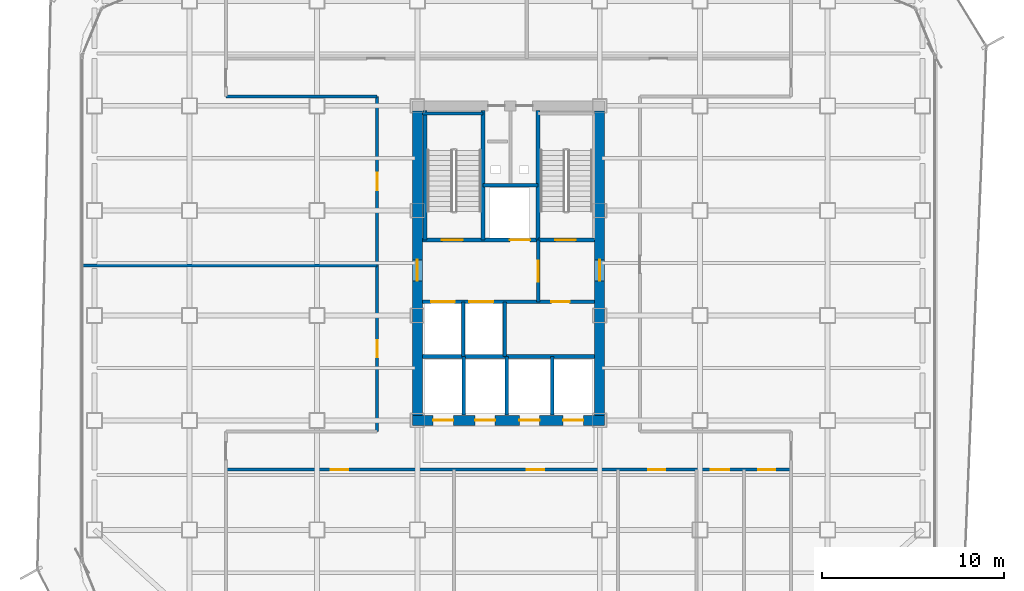
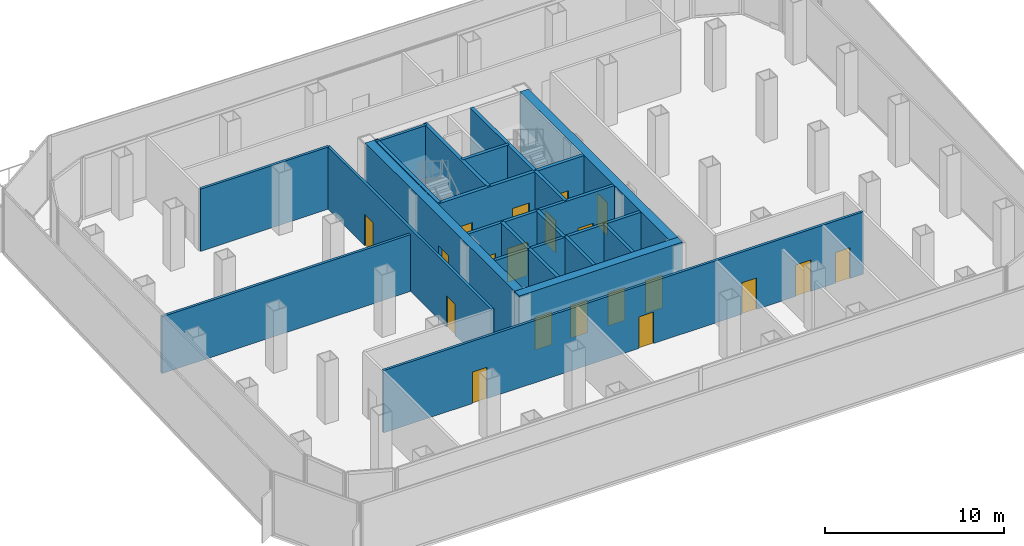
# One storey, part 17 of 21: 22 walls, 20 doors, 20 openings.
"""IFC4 building model written with IfcOpenShell, lengths in metres."""

from ifc_helpers import new_model, si_unit, direction, frame, frame_2d, origin, place, context, subcontext, project, spatial, rectangle, extrude, material, layer, layer_set, type_object, element, fill, save


model = new_model("IFC4")

# Units and contexts
model_context = context("Model", 3, precision=1e-05, world=origin(), true_north=direction((0.0, 1.0)))
body_context = subcontext(model_context, "Body", "Model", "MODEL_VIEW")
ifc_project = project(units=[si_unit("LENGTHUNIT", "METRE"), si_unit("AREAUNIT", "SQUARE_METRE"), si_unit("VOLUMEUNIT", "CUBIC_METRE"), si_unit("PLANEANGLEUNIT", "RADIAN"), si_unit("MASSUNIT", "GRAM", prefix="KILO")], contexts=[model_context])

# Site, building, storey
site_placement = place(None, origin())
site = spatial("IfcSite", under=ifc_project, at=site_placement, CompositionType="ELEMENT")
building_placement = place(site_placement, origin())
building = spatial("IfcBuilding", under=site, at=building_placement, Name="Kolveth Station Tower", CompositionType="ELEMENT")
storey_placement = place(building_placement, frame((0.0, 0.0, 88.199951171875)))
storey = spatial("IfcBuildingStorey", under=building, at=storey_placement, Name="L23", CompositionType="ELEMENT", Elevation=88.199951171875)

# Wall, openings, doors
ifc_material_1 = material(Name="Concrete C60/75", Category="concrete")
ifc_layer_1 = layer(ifc_material_1, 0.550048828125)
ifc_layer_set_1 = layer_set([ifc_layer_1], Name="Concrete C60/75")
wall_type_1 = type_object("IfcWallType", Name="Wall_CW-550", PredefinedType="SHEAR", material=ifc_layer_set_1)
wall_1_placement = place(storey_placement, frame((18.22509765625, 11.5, 0.0), z_axis=(0.0, 0.0, 1.0), x_axis=(1.0, 0.0, 0.0)))
wall_1 = element("IfcWall", 1, at=wall_1_placement, inside=storey, type_object=wall_type_1, Name="L23 Core RC Shear Wall S", PredefinedType="SHEAR", context=body_context, shape_type="SweptSolid", body=[
    extrude(rectangle(XDim=10.5498046875, YDim=0.550048828125, at=frame_2d((5.27490234375, 0.0))), origin(), (0.0, 0.0, 1.0), 4.25),
])
opening_1_placement = place(wall_1_placement, frame((1.14501953125, 0.0, 0.0)))
opening_1 = element("IfcOpeningElement", 2, at=opening_1_placement, cuts=wall_1, Name="Opening LD1", PredefinedType="OPENING", context=body_context, shape_type="SweptSolid", body=[
    extrude(rectangle(XDim=1.10009765625, YDim=2.25, at=frame_2d((0.550048828125, 1.125))), frame((0.0, 0.284912109375, 0.0), z_axis=(0.0, -1.0, 0.0), x_axis=(1.0, 0.0, 0.0)), (0.0, 0.0, 1.0), 0.570068359375),
])
opening_2_placement = place(wall_1_placement, frame((3.445068359375, 0.0, 0.0)))
opening_2 = element("IfcOpeningElement", 3, at=opening_2_placement, cuts=wall_1, Name="Opening LD1", PredefinedType="OPENING", context=body_context, shape_type="SweptSolid", body=[
    extrude(rectangle(XDim=1.10009765625, YDim=2.25, at=frame_2d((0.550048828125, 1.125))), frame((0.0, 0.284912109375, 0.0), z_axis=(0.0, -1.0, 0.0), x_axis=(1.0, 0.0, 0.0)), (0.0, 0.0, 1.0), 0.570068359375),
])
opening_3_placement = place(wall_1_placement, frame((5.875, 0.0, 0.0)))
opening_3 = element("IfcOpeningElement", 4, at=opening_3_placement, cuts=wall_1, Name="Opening LD1", PredefinedType="OPENING", context=body_context, shape_type="SweptSolid", body=[
    extrude(rectangle(XDim=1.10009765625, YDim=2.25, at=frame_2d((0.550048828125, 1.125))), frame((0.0, 0.284912109375, 0.0), z_axis=(0.0, -1.0, 0.0), x_axis=(1.0, 0.0, 0.0)), (0.0, 0.0, 1.0), 0.570068359375),
])
opening_4_placement = place(wall_1_placement, frame((8.27490234375, 0.0, 0.0)))
opening_4 = element("IfcOpeningElement", 5, at=opening_4_placement, cuts=wall_1, Name="Opening LD1", PredefinedType="OPENING", context=body_context, shape_type="SweptSolid", body=[
    extrude(rectangle(XDim=1.10009765625, YDim=2.25, at=frame_2d((0.550048828125, 1.125))), frame((0.0, 0.284912109375, 0.0), z_axis=(0.0, -1.0, 0.0), x_axis=(1.0, 0.0, 0.0)), (0.0, 0.0, 1.0), 0.570068359375),
])
ifc_material_2 = material(Name="Brushed stainless steel sliding landing doors", Category="steel")
door_type_1 = type_object("IfcDoorType", Name="Door_LD1", OperationType="NOTDEFINED", PredefinedType="DOOR", material=ifc_material_2)
door_1_placement = place(opening_1_placement, frame((1.10009765625, 0.0, 0.0), z_axis=(0.0, 0.0, 1.0), x_axis=(-1.0, 0.0, 0.0)))
door_1 = element("IfcDoor", 6, at=door_1_placement, inside=storey, type_object=door_type_1, Name="L23 Lift PL1 Landing Door", OperationType="DOUBLE_DOOR_SLIDING", OverallHeight=2.25, OverallWidth=1.10009765625, PredefinedType="DOOR", context=body_context, shape_type="SweptSolid", body=[
    extrude(rectangle(XDim=1.10009765625, YDim=2.25, at=frame_2d((0.550048828125, 1.125))), frame((0.0, 0.02490234375, 0.0), z_axis=(0.0, -1.0, 0.0), x_axis=(1.0, 0.0, 0.0)), (0.0, 0.0, 1.0), 0.050048828125),
])
fill(opening_1, door_1)
door_2_placement = place(opening_2_placement, frame((1.10009765625, 0.0, 0.0), z_axis=(0.0, 0.0, 1.0), x_axis=(-1.0, 0.0, 0.0)))
door_2 = element("IfcDoor", 7, at=door_2_placement, inside=storey, type_object=door_type_1, Name="L23 Lift PL2 Landing Door", OperationType="DOUBLE_DOOR_SLIDING", OverallHeight=2.25, OverallWidth=1.10009765625, PredefinedType="DOOR", context=body_context, shape_type="SweptSolid", body=[
    extrude(rectangle(XDim=1.10009765625, YDim=2.25, at=frame_2d((0.550048828125, 1.125))), frame((0.0, 0.02490234375, 0.0), z_axis=(0.0, -1.0, 0.0), x_axis=(1.0, 0.0, 0.0)), (0.0, 0.0, 1.0), 0.050048828125),
])
fill(opening_2, door_2)
door_3_placement = place(opening_3_placement, frame((1.10009765625, 0.0, 0.0), z_axis=(0.0, 0.0, 1.0), x_axis=(-1.0, 0.0, 0.0)))
door_3 = element("IfcDoor", 8, at=door_3_placement, inside=storey, type_object=door_type_1, Name="L23 Lift PM1 Landing Door", OperationType="DOUBLE_DOOR_SLIDING", OverallHeight=2.25, OverallWidth=1.10009765625, PredefinedType="DOOR", context=body_context, shape_type="SweptSolid", body=[
    extrude(rectangle(XDim=1.10009765625, YDim=2.25, at=frame_2d((0.550048828125, 1.125))), frame((0.0, 0.02490234375, 0.0), z_axis=(0.0, -1.0, 0.0), x_axis=(1.0, 0.0, 0.0)), (0.0, 0.0, 1.0), 0.050048828125),
])
fill(opening_3, door_3)
door_4_placement = place(opening_4_placement, frame((1.10009765625, 0.0, 0.0), z_axis=(0.0, 0.0, 1.0), x_axis=(-1.0, 0.0, 0.0)))
door_4 = element("IfcDoor", 9, at=door_4_placement, inside=storey, type_object=door_type_1, Name="L23 Lift PH1 Landing Door", OperationType="DOUBLE_DOOR_SLIDING", OverallHeight=2.25, OverallWidth=1.10009765625, PredefinedType="DOOR", context=body_context, shape_type="SweptSolid", body=[
    extrude(rectangle(XDim=1.10009765625, YDim=2.25, at=frame_2d((0.550048828125, 1.125))), frame((0.0, 0.02490234375, 0.0), z_axis=(0.0, -1.0, 0.0), x_axis=(1.0, 0.0, 0.0)), (0.0, 0.0, 1.0), 0.050048828125),
])
fill(opening_4, door_4)

# Wall, opening, door
wall_2_placement = place(storey_placement, frame((18.5, 11.77490234375, 0.0), z_axis=(0.0, 0.0, 1.0), x_axis=(0.0, 1.0, 0.0)))
wall_2 = element("IfcWall", 10, at=wall_2_placement, inside=storey, type_object=wall_type_1, Name="L23 Core RC Shear Wall W", PredefinedType="SHEAR", context=body_context, shape_type="SweptSolid", body=[
    extrude(rectangle(XDim=16.7001953125, YDim=0.550048828125, at=frame_2d((8.35009765625, 0.0))), origin(), (0.0, 0.0, 1.0), 4.25),
])
opening_5_placement = place(wall_2_placement, frame((7.375, 0.0, 0.0)))
opening_5 = element("IfcOpeningElement", 11, at=opening_5_placement, cuts=wall_2, Name="Opening FD1", PredefinedType="OPENING", context=body_context, shape_type="SweptSolid", body=[
    extrude(rectangle(XDim=1.14990234375, YDim=2.199951171875, at=frame_2d((0.574951171875, 1.10009765625))), frame((0.0, 0.284912109375, 0.0), z_axis=(0.0, -1.0, 0.0), x_axis=(1.0, 0.0, 0.0)), (0.0, 0.0, 1.0), 0.570068359375),
])
ifc_material_3 = material(Name="Fire-rated Steel S355 leaf and frame", Category="steel")
door_type_2 = type_object("IfcDoorType", Name="Door_FD1", OperationType="NOTDEFINED", PredefinedType="DOOR", material=ifc_material_3)
door_5_placement = place(opening_5_placement, frame((1.14990234375, 0.0, 0.0), z_axis=(0.0, 0.0, 1.0), x_axis=(-1.0, 0.0, 0.0)))
door_5 = element("IfcDoor", 12, at=door_5_placement, inside=storey, type_object=door_type_2, Name="L23 West Corridor to Firefighting Lobby Door", OperationType="SINGLE_SWING_RIGHT", OverallHeight=2.199951171875, OverallWidth=1.14990234375, PredefinedType="DOOR", context=body_context, shape_type="SweptSolid", body=[
    extrude(rectangle(XDim=1.14990234375, YDim=2.199951171875, at=frame_2d((0.574951171875, 1.10009765625))), frame((0.0, 0.02490234375, 0.0), z_axis=(0.0, -1.0, 0.0), x_axis=(1.0, 0.0, 0.0)), (0.0, 0.0, 1.0), 0.050048828125),
])
fill(opening_5, door_5)

wall_3_placement = place(storey_placement, frame((28.5, 11.77490234375, 0.0), z_axis=(0.0, 0.0, 1.0), x_axis=(0.0, 1.0, 0.0)))
wall_3 = element("IfcWall", 13, at=wall_3_placement, inside=storey, type_object=wall_type_1, Name="L23 Core RC Shear Wall E", PredefinedType="SHEAR", context=body_context, shape_type="SweptSolid", body=[
    extrude(rectangle(XDim=16.7001953125, YDim=0.550048828125, at=frame_2d((8.35009765625, 0.0))), origin(), (0.0, 0.0, 1.0), 4.25),
])
opening_6_placement = place(wall_3_placement, frame((7.375, 0.0, 0.0)))
opening_6 = element("IfcOpeningElement", 14, at=opening_6_placement, cuts=wall_3, Name="Opening FD1", PredefinedType="OPENING", context=body_context, shape_type="SweptSolid", body=[
    extrude(rectangle(XDim=1.14990234375, YDim=2.199951171875, at=frame_2d((0.574951171875, 1.10009765625))), frame((0.0, 0.284912109375, 0.0), z_axis=(0.0, -1.0, 0.0), x_axis=(1.0, 0.0, 0.0)), (0.0, 0.0, 1.0), 0.570068359375),
])
door_6_placement = place(opening_6_placement, origin())
door_6 = element("IfcDoor", 15, at=door_6_placement, inside=storey, type_object=door_type_2, Name="L23 East Corridor to Stair Lobby Door", OperationType="SINGLE_SWING_LEFT", OverallHeight=2.199951171875, OverallWidth=1.14990234375, PredefinedType="DOOR", context=body_context, shape_type="SweptSolid", body=[
    extrude(rectangle(XDim=1.14990234375, YDim=2.199951171875, at=frame_2d((0.574951171875, 1.10009765625))), frame((0.0, 0.02490234375, 0.0), z_axis=(0.0, -1.0, 0.0), x_axis=(1.0, 0.0, 0.0)), (0.0, 0.0, 1.0), 0.050048828125),
])
fill(opening_6, door_6)

# Wall
ifc_material_4 = material(Name="Acoustic double-stud gypsum partition")
ifc_layer_2 = layer(ifc_material_4, 0.1650390625)
ifc_layer_set_2 = layer_set([ifc_layer_2], Name="Acoustic double-stud gypsum partition")
wall_type_2 = type_object("IfcWallType", Name="Wall_IW-165", PredefinedType="PARTITIONING", material=ifc_layer_set_2)
wall_4_placement = place(storey_placement, frame((18.784912109375, 28.3349609375, 0.0), z_axis=(0.0, 0.0, 1.0), x_axis=(1.0, 0.0, 0.0)))
element("IfcWall", 16, at=wall_4_placement, inside=storey, type_object=wall_type_2, Name="L23 Stair Shaft Wall WL-L23-ST1-N", PredefinedType="PARTITIONING", context=body_context, shape_type="SweptSolid", body=[
    extrude(rectangle(XDim=3.3251953125, YDim=0.1650390625, at=frame_2d((1.66259765625, 0.0))), origin(), (0.0, 0.0, 1.0), 4.25),
])

# Wall, openings, doors
wall_5_placement = place(storey_placement, frame((8.0, 8.800048828125, 0.0), z_axis=(0.0, 0.0, 1.0), x_axis=(1.0, 0.0, 0.0)))
wall_5 = element("IfcWall", 17, at=wall_5_placement, inside=storey, type_object=wall_type_2, Name="L23 Partition Wall WL-L23-SLS", PredefinedType="PARTITIONING", context=body_context, shape_type="SweptSolid", body=[
    extrude(rectangle(XDim=31.0, YDim=0.1650390625, at=frame_2d((15.5, 0.0))), origin(), (0.0, 0.0, 1.0), 4.25),
])
opening_7_placement = place(wall_5_placement, frame((5.75, 0.0, 0.0)))
opening_7 = element("IfcOpeningElement", 18, at=opening_7_placement, cuts=wall_5, Name="Opening ID1", PredefinedType="OPENING", context=body_context, shape_type="SweptSolid", body=[
    extrude(rectangle(XDim=0.949951171875, YDim=2.14990234375, at=frame_2d((0.47509765625, 1.074951171875))), frame((0.0, 0.092529296875, 0.0), z_axis=(0.0, -1.0, 0.0), x_axis=(1.0, 0.0, 0.0)), (0.0, 0.0, 1.0), 0.18505859375),
])
opening_8_placement = place(wall_5_placement, frame((16.5, 0.0, 0.0)))
opening_8 = element("IfcOpeningElement", 19, at=opening_8_placement, cuts=wall_5, Name="Opening ID1", PredefinedType="OPENING", context=body_context, shape_type="SweptSolid", body=[
    extrude(rectangle(XDim=0.949951171875, YDim=2.14990234375, at=frame_2d((0.47509765625, 1.074951171875))), frame((0.0, 0.092529296875, 0.0), z_axis=(0.0, -1.0, 0.0), x_axis=(1.0, 0.0, 0.0)), (0.0, 0.0, 1.0), 0.18505859375),
])
opening_9_placement = place(wall_5_placement, frame((23.14990234375, 0.0, 0.0)))
opening_9 = element("IfcOpeningElement", 20, at=opening_9_placement, cuts=wall_5, Name="Opening ID1", PredefinedType="OPENING", context=body_context, shape_type="SweptSolid", body=[
    extrude(rectangle(XDim=0.949951171875, YDim=2.14990234375, at=frame_2d((0.47509765625, 1.074951171875))), frame((0.0, 0.092529296875, 0.0), z_axis=(0.0, -1.0, 0.0), x_axis=(1.0, 0.0, 0.0)), (0.0, 0.0, 1.0), 0.18505859375),
])
opening_10_placement = place(wall_5_placement, frame((26.60009765625, 0.0, 0.0)))
opening_10 = element("IfcOpeningElement", 21, at=opening_10_placement, cuts=wall_5, Name="Opening FD3", PredefinedType="OPENING", context=body_context, shape_type="SweptSolid", body=[
    extrude(rectangle(XDim=1.0, YDim=2.14990234375, at=frame_2d((0.5, 1.074951171875))), frame((0.0, 0.092529296875, 0.0), z_axis=(0.0, -1.0, 0.0), x_axis=(1.0, 0.0, 0.0)), (0.0, 0.0, 1.0), 0.18505859375),
])
opening_11_placement = place(wall_5_placement, frame((29.199951171875, 0.0, 0.0)))
opening_11 = element("IfcOpeningElement", 22, at=opening_11_placement, cuts=wall_5, Name="Opening ID2", PredefinedType="OPENING", context=body_context, shape_type="SweptSolid", body=[
    extrude(rectangle(XDim=0.919921875, YDim=2.10009765625, at=frame_2d((0.4599609375, 1.050048828125))), frame((0.0, 0.092529296875, 0.0), z_axis=(0.0, -1.0, 0.0), x_axis=(1.0, 0.0, 0.0)), (0.0, 0.0, 1.0), 0.18505859375),
])
ifc_material_5 = material(Name="Fire-rated hardwood leaf and aluminium frame", Category="wood")
door_type_3 = type_object("IfcDoorType", Name="Door_FD3", OperationType="NOTDEFINED", PredefinedType="DOOR", material=ifc_material_5)
door_7_placement = place(opening_10_placement, frame((1.0, 0.0, 0.0), z_axis=(0.0, 0.0, 1.0), x_axis=(-1.0, 0.0, 0.0)))
door_7 = element("IfcDoor", 23, at=door_7_placement, inside=storey, type_object=door_type_3, Name="L23 Sky Lobby Toilet Door", OperationType="SINGLE_SWING_LEFT", OverallHeight=2.14990234375, OverallWidth=1.0, PredefinedType="DOOR", context=body_context, shape_type="SweptSolid", body=[
    extrude(rectangle(XDim=1.0, YDim=2.14990234375, at=frame_2d((0.5, 1.074951171875))), frame((0.0, 0.02490234375, 0.0), z_axis=(0.0, -1.0, 0.0), x_axis=(1.0, 0.0, 0.0)), (0.0, 0.0, 1.0), 0.050048828125),
])
fill(opening_10, door_7)
ifc_material_6 = material(Name="Acoustic hardwood leaf and aluminium frame", Category="wood")
door_type_4 = type_object("IfcDoorType", Name="Door_ID1", OperationType="NOTDEFINED", PredefinedType="DOOR", material=ifc_material_6)
door_8_placement = place(opening_7_placement, frame((0.949951171875, 0.0, 0.0), z_axis=(0.0, 0.0, 1.0), x_axis=(-1.0, 0.0, 0.0)))
door_8 = element("IfcDoor", 24, at=door_8_placement, inside=storey, type_object=door_type_4, Name="L23 Sky Garden Dining Room Door", OperationType="SINGLE_SWING_RIGHT", OverallHeight=2.14990234375, OverallWidth=0.949951171875, PredefinedType="DOOR", context=body_context, shape_type="SweptSolid", body=[
    extrude(rectangle(XDim=0.949951171875, YDim=2.14990234375, at=frame_2d((0.47509765625, 1.074951171875))), frame((0.0, 0.02490234375, 0.0), z_axis=(0.0, -1.0, 0.0), x_axis=(1.0, 0.0, 0.0)), (0.0, 0.0, 1.0), 0.050048828125),
])
fill(opening_7, door_8)
door_9_placement = place(opening_8_placement, frame((0.949951171875, 0.0, 0.0), z_axis=(0.0, 0.0, 1.0), x_axis=(-1.0, 0.0, 0.0)))
door_9 = element("IfcDoor", 25, at=door_9_placement, inside=storey, type_object=door_type_4, Name="L23 Sky Transfer Concierge Office Door", OperationType="SINGLE_SWING_LEFT", OverallHeight=2.14990234375, OverallWidth=0.949951171875, PredefinedType="DOOR", context=body_context, shape_type="SweptSolid", body=[
    extrude(rectangle(XDim=0.949951171875, YDim=2.14990234375, at=frame_2d((0.47509765625, 1.074951171875))), frame((0.0, 0.02490234375, 0.0), z_axis=(0.0, -1.0, 0.0), x_axis=(1.0, 0.0, 0.0)), (0.0, 0.0, 1.0), 0.050048828125),
])
fill(opening_8, door_9)
door_10_placement = place(opening_9_placement, frame((0.949951171875, 0.0, 0.0), z_axis=(0.0, 0.0, 1.0), x_axis=(-1.0, 0.0, 0.0)))
door_10 = element("IfcDoor", 26, at=door_10_placement, inside=storey, type_object=door_type_4, Name="L23 Sky Catering Pantry Door", OperationType="SINGLE_SWING_RIGHT", OverallHeight=2.14990234375, OverallWidth=0.949951171875, PredefinedType="DOOR", context=body_context, shape_type="SweptSolid", body=[
    extrude(rectangle(XDim=0.949951171875, YDim=2.14990234375, at=frame_2d((0.47509765625, 1.074951171875))), frame((0.0, 0.02490234375, 0.0), z_axis=(0.0, -1.0, 0.0), x_axis=(1.0, 0.0, 0.0)), (0.0, 0.0, 1.0), 0.050048828125),
])
fill(opening_9, door_10)
ifc_material_7 = material(Name="Moisture-resistant hardwood leaf", Category="wood")
door_type_5 = type_object("IfcDoorType", Name="Door_ID2", OperationType="NOTDEFINED", PredefinedType="DOOR", material=ifc_material_7)
door_11_placement = place(opening_11_placement, frame((0.919921875, 0.0, 0.0), z_axis=(0.0, 0.0, 1.0), x_axis=(-1.0, 0.0, 0.0)))
door_11 = element("IfcDoor", 27, at=door_11_placement, inside=storey, type_object=door_type_5, Name="L23 Accessible Sky WC Door", OperationType="SINGLE_SWING_LEFT", OverallHeight=2.10009765625, OverallWidth=0.919921875, PredefinedType="DOOR", context=body_context, shape_type="SweptSolid", body=[
    extrude(rectangle(XDim=0.919921875, YDim=2.10009765625, at=frame_2d((0.4599609375, 1.050048828125))), frame((0.0, 0.02490234375, 0.0), z_axis=(0.0, -1.0, 0.0), x_axis=(1.0, 0.0, 0.0)), (0.0, 0.0, 1.0), 0.050048828125),
])
fill(opening_11, door_11)

# Wall
wall_6_placement = place(storey_placement, frame((8.0, 29.25, 0.0), z_axis=(0.0, 0.0, 1.0), x_axis=(1.0, 0.0, 0.0)))
element("IfcWall", 28, at=wall_6_placement, inside=storey, type_object=wall_type_2, Name="L23 Partition Wall WL-L23-SLNWB", PredefinedType="PARTITIONING", context=body_context, shape_type="SweptSolid", body=[
    extrude(rectangle(XDim=8.300048828125, YDim=0.1650390625, at=frame_2d((4.14990234375, 0.0))), origin(), (0.0, 0.0, 1.0), 4.25),
])

# Wall, openings, doors
wall_7_placement = place(storey_placement, frame((16.300048828125, 10.89990234375, 0.0), z_axis=(0.0, 0.0, 1.0), x_axis=(0.0, 1.0, 0.0)))
wall_7 = element("IfcWall", 29, at=wall_7_placement, inside=storey, type_object=wall_type_2, Name="L23 Partition Wall WL-L23-SLW", PredefinedType="PARTITIONING", context=body_context, shape_type="SweptSolid", body=[
    extrude(rectangle(XDim=18.35009765625, YDim=0.1650390625, at=frame_2d((9.175048828125, 0.0))), origin(), (0.0, 0.0, 1.0), 4.25),
])
opening_12_placement = place(wall_7_placement, frame((4.050048828125, 0.0, 0.0)))
opening_12 = element("IfcOpeningElement", 30, at=opening_12_placement, cuts=wall_7, Name="Opening ID1", PredefinedType="OPENING", context=body_context, shape_type="SweptSolid", body=[
    extrude(rectangle(XDim=0.949951171875, YDim=2.14990234375, at=frame_2d((0.47509765625, 1.074951171875))), frame((0.0, 0.092529296875, 0.0), z_axis=(0.0, -1.0, 0.0), x_axis=(1.0, 0.0, 0.0)), (0.0, 0.0, 1.0), 0.18505859375),
])
opening_13_placement = place(wall_7_placement, frame((13.22509765625, 0.0, 0.0)))
opening_13 = element("IfcOpeningElement", 31, at=opening_13_placement, cuts=wall_7, Name="Opening ID1", PredefinedType="OPENING", context=body_context, shape_type="SweptSolid", body=[
    extrude(rectangle(XDim=0.949951171875, YDim=2.14990234375, at=frame_2d((0.47509765625, 1.074951171875))), frame((0.0, 0.092529296875, 0.0), z_axis=(0.0, -1.0, 0.0), x_axis=(1.0, 0.0, 0.0)), (0.0, 0.0, 1.0), 0.18505859375),
])
door_12_placement = place(opening_12_placement, frame((0.949951171875, 0.0, 0.0), z_axis=(0.0, 0.0, 1.0), x_axis=(-1.0, 0.0, 0.0)))
door_12 = element("IfcDoor", 32, at=door_12_placement, inside=storey, type_object=door_type_4, Name="L23 Sky Meeting Suite West Door", OperationType="SINGLE_SWING_LEFT", OverallHeight=2.14990234375, OverallWidth=0.949951171875, PredefinedType="DOOR", context=body_context, shape_type="SweptSolid", body=[
    extrude(rectangle(XDim=0.949951171875, YDim=2.14990234375, at=frame_2d((0.47509765625, 1.074951171875))), frame((0.0, 0.02490234375, 0.0), z_axis=(0.0, -1.0, 0.0), x_axis=(1.0, 0.0, 0.0)), (0.0, 0.0, 1.0), 0.050048828125),
])
fill(opening_12, door_12)
door_13_placement = place(opening_13_placement, frame((0.949951171875, 0.0, 0.0), z_axis=(0.0, 0.0, 1.0), x_axis=(-1.0, 0.0, 0.0)))
door_13 = element("IfcDoor", 33, at=door_13_placement, inside=storey, type_object=door_type_4, Name="L23 Sky Quiet Study Door", OperationType="SINGLE_SWING_RIGHT", OverallHeight=2.14990234375, OverallWidth=0.949951171875, PredefinedType="DOOR", context=body_context, shape_type="SweptSolid", body=[
    extrude(rectangle(XDim=0.949951171875, YDim=2.14990234375, at=frame_2d((0.47509765625, 1.074951171875))), frame((0.0, 0.02490234375, 0.0), z_axis=(0.0, -1.0, 0.0), x_axis=(1.0, 0.0, 0.0)), (0.0, 0.0, 1.0), 0.050048828125),
])
fill(opening_13, door_13)

# Walls
wall_8_placement = place(storey_placement, frame((0.159912109375, 20.0, 0.0), z_axis=(0.0, 0.0, 1.0), x_axis=(1.0, 0.0, 0.0)))
element("IfcWall", 34, at=wall_8_placement, inside=storey, type_object=wall_type_2, Name="L23 Partition Wall WL-L23-SWG-P1", PredefinedType="PARTITIONING", context=body_context, shape_type="SweptSolid", body=[
    extrude(rectangle(XDim=16.14013671875, YDim=0.1650390625, at=frame_2d((8.070068359375, 0.0))), origin(), (0.0, 0.0, 1.0), 3.883056640625),
])
ifc_material_8 = material(Name="Acoustic fire-rated gypsum blockwork", Category="masonry")
ifc_layer_3 = layer(ifc_material_8, 0.199951171875)
ifc_layer_set_3 = layer_set([ifc_layer_3], Name="Acoustic fire-rated gypsum blockwork")
wall_type_3 = type_object("IfcWallType", Name="Wall_IW-200", PredefinedType="PARTITIONING", material=ifc_layer_set_3)
wall_9_placement = place(storey_placement, frame((22.110107421875, 24.39990234375, 0.0), z_axis=(0.0, 0.0, 1.0), x_axis=(1.0, 0.0, 0.0)))
element("IfcWall", 35, at=wall_9_placement, inside=storey, type_object=wall_type_3, Name="L23 Partition Wall WL-L23-RSR-S", PredefinedType="PARTITIONING", context=body_context, shape_type="SweptSolid", body=[
    extrude(rectangle(XDim=3.019775390625, YDim=0.199951171875, at=frame_2d((1.509765625, 0.0))), origin(), (0.0, 0.0, 1.0), 4.25),
])

# Wall, opening, door
wall_10_placement = place(storey_placement, frame((25.1298828125, 18.0, 0.0), z_axis=(0.0, 0.0, 1.0), x_axis=(0.0, 1.0, 0.0)))
wall_10 = element("IfcWall", 36, at=wall_10_placement, inside=storey, type_object=wall_type_3, Name="L23 Partition Wall WL-L23-FFL-E", PredefinedType="PARTITIONING", context=body_context, shape_type="SweptSolid", body=[
    extrude(rectangle(XDim=3.389892578125, YDim=0.199951171875, at=frame_2d((1.69482421875, 0.0))), origin(), (0.0, 0.0, 1.0), 4.25),
])
opening_14_placement = place(wall_10_placement, frame((1.10009765625, 0.0, 0.0)))
opening_14 = element("IfcOpeningElement", 37, at=opening_14_placement, cuts=wall_10, Name="Opening FD1", PredefinedType="OPENING", context=body_context, shape_type="SweptSolid", body=[
    extrude(rectangle(XDim=1.14990234375, YDim=2.199951171875, at=frame_2d((0.574951171875, 1.10009765625))), frame((0.0, 0.10986328125, 0.0), z_axis=(0.0, -1.0, 0.0), x_axis=(1.0, 0.0, 0.0)), (0.0, 0.0, 1.0), 0.219970703125),
])
door_14_placement = place(opening_14_placement, origin())
door_14 = element("IfcDoor", 38, at=door_14_placement, inside=storey, type_object=door_type_2, Name="L23 Firefighting to Stair Lobby Door", OperationType="SINGLE_SWING_LEFT", OverallHeight=2.199951171875, OverallWidth=1.14990234375, PredefinedType="DOOR", context=body_context, shape_type="SweptSolid", body=[
    extrude(rectangle(XDim=1.14990234375, YDim=2.199951171875, at=frame_2d((0.574951171875, 1.10009765625))), frame((0.0, 0.02490234375, 0.0), z_axis=(0.0, -1.0, 0.0), x_axis=(1.0, 0.0, 0.0)), (0.0, 0.0, 1.0), 0.050048828125),
])
fill(opening_14, door_14)

# Wall, openings, doors
wall_11_placement = place(storey_placement, frame((18.784912109375, 18.0, 0.0), z_axis=(0.0, 0.0, 1.0), x_axis=(1.0, 0.0, 0.0)))
wall_11 = element("IfcWall", 39, at=wall_11_placement, inside=storey, type_object=wall_type_3, Name="L23 Partition Wall WL-L23-FFL-S", PredefinedType="PARTITIONING", context=body_context, shape_type="SweptSolid", body=[
    extrude(rectangle(XDim=9.43017578125, YDim=0.199951171875, at=frame_2d((4.715087890625, 0.0))), origin(), (0.0, 0.0, 1.0), 4.25),
])
opening_15_placement = place(wall_11_placement, frame((0.465087890625, 0.0, 0.0)))
opening_15 = element("IfcOpeningElement", 40, at=opening_15_placement, cuts=wall_11, Name="Opening LD2", PredefinedType="OPENING", context=body_context, shape_type="SweptSolid", body=[
    extrude(rectangle(XDim=1.300048828125, YDim=2.300048828125, at=frame_2d((0.64990234375, 1.14990234375))), frame((0.0, 0.10986328125, 0.0), z_axis=(0.0, -1.0, 0.0), x_axis=(1.0, 0.0, 0.0)), (0.0, 0.0, 1.0), 0.219970703125),
])
opening_16_placement = place(wall_11_placement, frame((2.56494140625, 0.0, 0.0)))
opening_16 = element("IfcOpeningElement", 41, at=opening_16_placement, cuts=wall_11, Name="Opening LD2", PredefinedType="OPENING", context=body_context, shape_type="SweptSolid", body=[
    extrude(rectangle(XDim=1.300048828125, YDim=2.300048828125, at=frame_2d((0.64990234375, 1.14990234375))), frame((0.0, 0.10986328125, 0.0), z_axis=(0.0, -1.0, 0.0), x_axis=(1.0, 0.0, 0.0)), (0.0, 0.0, 1.0), 0.219970703125),
])
opening_17_placement = place(wall_11_placement, frame((7.06494140625, 0.0, 0.0)))
opening_17 = element("IfcOpeningElement", 42, at=opening_17_placement, cuts=wall_11, Name="Opening FD3", PredefinedType="OPENING", context=body_context, shape_type="SweptSolid", body=[
    extrude(rectangle(XDim=1.0, YDim=2.14990234375, at=frame_2d((0.5, 1.074951171875))), frame((0.0, 0.10986328125, 0.0), z_axis=(0.0, -1.0, 0.0), x_axis=(1.0, 0.0, 0.0)), (0.0, 0.0, 1.0), 0.219970703125),
])
door_15_placement = place(opening_17_placement, frame((1.0, 0.0, 0.0), z_axis=(0.0, 0.0, 1.0), x_axis=(-1.0, 0.0, 0.0)))
door_15 = element("IfcDoor", 43, at=door_15_placement, inside=storey, type_object=door_type_3, Name="L23 Core Staff Pantry Door", OperationType="SINGLE_SWING_LEFT", OverallHeight=2.14990234375, OverallWidth=1.0, PredefinedType="DOOR", context=body_context, shape_type="SweptSolid", body=[
    extrude(rectangle(XDim=1.0, YDim=2.14990234375, at=frame_2d((0.5, 1.074951171875))), frame((0.0, 0.02490234375, 0.0), z_axis=(0.0, -1.0, 0.0), x_axis=(1.0, 0.0, 0.0)), (0.0, 0.0, 1.0), 0.050048828125),
])
fill(opening_17, door_15)
ifc_material_9 = material(Name="Firefighting stainless steel sliding landing doors", Category="steel")
door_type_6 = type_object("IfcDoorType", Name="Door_LD2", OperationType="NOTDEFINED", PredefinedType="DOOR", material=ifc_material_9)
door_16_placement = place(opening_15_placement, origin())
door_16 = element("IfcDoor", 44, at=door_16_placement, inside=storey, type_object=door_type_6, Name="L23 Firefighting Lift FF1 Landing Door", OperationType="DOUBLE_DOOR_SLIDING", OverallHeight=2.300048828125, OverallWidth=1.300048828125, PredefinedType="DOOR", context=body_context, shape_type="SweptSolid", body=[
    extrude(rectangle(XDim=1.300048828125, YDim=2.300048828125, at=frame_2d((0.64990234375, 1.14990234375))), frame((0.0, 0.02490234375, 0.0), z_axis=(0.0, -1.0, 0.0), x_axis=(1.0, 0.0, 0.0)), (0.0, 0.0, 1.0), 0.050048828125),
])
fill(opening_15, door_16)
door_17_placement = place(opening_16_placement, origin())
door_17 = element("IfcDoor", 45, at=door_17_placement, inside=storey, type_object=door_type_6, Name="L23 Firefighting Lift FF2 Landing Door", OperationType="DOUBLE_DOOR_SLIDING", OverallHeight=2.300048828125, OverallWidth=1.300048828125, PredefinedType="DOOR", context=body_context, shape_type="SweptSolid", body=[
    extrude(rectangle(XDim=1.300048828125, YDim=2.300048828125, at=frame_2d((0.64990234375, 1.14990234375))), frame((0.0, 0.02490234375, 0.0), z_axis=(0.0, -1.0, 0.0), x_axis=(1.0, 0.0, 0.0)), (0.0, 0.0, 1.0), 0.050048828125),
])
fill(opening_16, door_17)

# Walls
for number, where, z_axis, x_axis, name in (
    (46, (21.02001953125, 15.0, 0.0), (0.0, 0.0, 1.0), (0.0, 1.0, 0.0), "L23 Partition Wall WL-L23-FF12"),
    (47, (23.300048828125, 15.0, 0.0), (0.0, 0.0, 1.0), (0.0, 1.0, 0.0), "L23 Partition Wall WL-L23-FF2E"),
):
    element("IfcWall", number, at=place(storey_placement, frame(where, z_axis=z_axis, x_axis=x_axis)), inside=storey, type_object=wall_type_3, Name=name, PredefinedType="PARTITIONING", context=body_context, shape_type="SweptSolid", body=[
        extrude(rectangle(XDim=3.0, YDim=0.199951171875, at=frame_2d((1.5, 0.0))), origin(), (0.0, 0.0, 1.0), 4.25),
    ])
wall_12_placement = place(storey_placement, frame((18.784912109375, 15.0, 0.0), z_axis=(0.0, 0.0, 1.0), x_axis=(1.0, 0.0, 0.0)))
element("IfcWall", 48, at=wall_12_placement, inside=storey, type_object=wall_type_3, Name="L23 Partition Wall WL-L23-BOH-S", PredefinedType="PARTITIONING", context=body_context, shape_type="SweptSolid", body=[
    extrude(rectangle(XDim=9.43017578125, YDim=0.199951171875, at=frame_2d((4.715087890625, 0.0))), origin(), (0.0, 0.0, 1.0), 4.25),
])
for number, where, z_axis, x_axis, name in (
    (49, (21.050048828125, 11.784912109375, 0.0), (0.0, 0.0, 1.0), (0.0, 1.0, 0.0), "L23 Partition Wall WL-L23-PL12"),
    (50, (23.39990234375, 11.784912109375, 0.0), (0.0, 0.0, 1.0), (0.0, 1.0, 0.0), "L23 Partition Wall WL-L23-PL2E"),
    (51, (25.89990234375, 11.784912109375, 0.0), (0.0, 0.0, 1.0), (0.0, 1.0, 0.0), "L23 Partition Wall WL-L23-PMPH"),
):
    element("IfcWall", number, at=place(storey_placement, frame(where, z_axis=z_axis, x_axis=x_axis)), inside=storey, type_object=wall_type_3, Name=name, PredefinedType="PARTITIONING", context=body_context, shape_type="SweptSolid", body=[
        extrude(rectangle(XDim=3.215087890625, YDim=0.199951171875, at=frame_2d((1.607421875, 0.0))), origin(), (0.0, 0.0, 1.0), 4.25),
    ])
ifc_material_10 = material(Name="Concrete C40/50", Category="concrete")
ifc_layer_4 = layer(ifc_material_10, 0.219970703125)
ifc_layer_set_4 = layer_set([ifc_layer_4], Name="Concrete C40/50")
wall_type_4 = type_object("IfcWallType", Name="Wall_IW-220", PredefinedType="SOLIDWALL", material=ifc_layer_set_4)
for number, where, z_axis, x_axis, name in (
    (52, (18.929931640625, 21.389892578125, 0.0), (0.0, 0.0, 1.0), (0.0, 1.0, 0.0), "L23 Stair Shaft Wall WL-L23-ST1-W"),
    (53, (22.110107421875, 21.389892578125, 0.0), (0.0, 0.0, 1.0), (0.0, 1.0, 0.0), "L23 Stair Shaft Wall WL-L23-ST1-E"),
    (54, (25.1298828125, 21.389892578125, 0.0), (0.0, 0.0, 1.0), (0.0, 1.0, 0.0), "L23 Stair Shaft Wall WL-L23-ST2-W"),
):
    element("IfcWall", number, at=place(storey_placement, frame(where, z_axis=z_axis, x_axis=x_axis)), inside=storey, type_object=wall_type_4, Name=name, PredefinedType="SOLIDWALL", context=body_context, shape_type="SweptSolid", body=[
        extrude(rectangle(XDim=7.110107421875, YDim=0.219970703125, at=frame_2d((3.55517578125, 0.0))), origin(), (0.0, 0.0, 1.0), 4.25),
    ])

# Wall, openings, doors
wall_13_placement = place(storey_placement, frame((18.784912109375, 21.389892578125, 0.0), z_axis=(0.0, 0.0, 1.0), x_axis=(1.0, 0.0, 0.0)))
wall_13 = element("IfcWall", 55, at=wall_13_placement, inside=storey, type_object=wall_type_4, Name="L23 Stair Shaft Wall WL-L23-ST1-S", PredefinedType="SOLIDWALL", context=body_context, shape_type="SweptSolid", body=[
    extrude(rectangle(XDim=6.344970703125, YDim=0.219970703125, at=frame_2d((3.17236328125, 0.0))), origin(), (0.0, 0.0, 1.0), 4.25),
])
opening_18_placement = place(wall_13_placement, frame((1.06494140625, 0.0, 0.0)))
opening_18 = element("IfcOpeningElement", 56, at=opening_18_placement, cuts=wall_13, Name="Opening FD1", PredefinedType="OPENING", context=body_context, shape_type="SweptSolid", body=[
    extrude(rectangle(XDim=1.14990234375, YDim=2.199951171875, at=frame_2d((0.574951171875, 1.10009765625))), frame((0.0, 0.119873046875, 0.0), z_axis=(0.0, -1.0, 0.0), x_axis=(1.0, 0.0, 0.0)), (0.0, 0.0, 1.0), 0.239990234375),
])
opening_19_placement = place(wall_13_placement, frame((4.794921875, 0.0, 0.0)))
opening_19 = element("IfcOpeningElement", 57, at=opening_19_placement, cuts=wall_13, Name="Opening LD1", PredefinedType="OPENING", context=body_context, shape_type="SweptSolid", body=[
    extrude(rectangle(XDim=1.10009765625, YDim=2.25, at=frame_2d((0.550048828125, 1.125))), frame((0.0, 0.119873046875, 0.0), z_axis=(0.0, -1.0, 0.0), x_axis=(1.0, 0.0, 0.0)), (0.0, 0.0, 1.0), 0.239990234375),
])
door_18_placement = place(opening_18_placement, frame((1.14990234375, 0.0, 0.0), z_axis=(0.0, 0.0, 1.0), x_axis=(-1.0, 0.0, 0.0)))
door_18 = element("IfcDoor", 58, at=door_18_placement, inside=storey, type_object=door_type_2, Name="L23 Stair ST1 Fire Door", OperationType="SINGLE_SWING_RIGHT", OverallHeight=2.199951171875, OverallWidth=1.14990234375, PredefinedType="DOOR", context=body_context, shape_type="SweptSolid", body=[
    extrude(rectangle(XDim=1.14990234375, YDim=2.199951171875, at=frame_2d((0.574951171875, 1.10009765625))), frame((0.0, 0.02490234375, 0.0), z_axis=(0.0, -1.0, 0.0), x_axis=(1.0, 0.0, 0.0)), (0.0, 0.0, 1.0), 0.050048828125),
])
fill(opening_18, door_18)
door_19_placement = place(opening_19_placement, frame((1.10009765625, 0.0, 0.0), z_axis=(0.0, 0.0, 1.0), x_axis=(-1.0, 0.0, 0.0)))
door_19 = element("IfcDoor", 59, at=door_19_placement, inside=storey, type_object=door_type_1, Name="L23 Service Lift SV1 Landing Door", OperationType="DOUBLE_DOOR_SLIDING", OverallHeight=2.25, OverallWidth=1.10009765625, PredefinedType="DOOR", context=body_context, shape_type="SweptSolid", body=[
    extrude(rectangle(XDim=1.10009765625, YDim=2.25, at=frame_2d((0.550048828125, 1.125))), frame((0.0, 0.02490234375, 0.0), z_axis=(0.0, -1.0, 0.0), x_axis=(1.0, 0.0, 0.0)), (0.0, 0.0, 1.0), 0.050048828125),
])
fill(opening_19, door_19)

# Wall, opening, door
wall_14_placement = place(storey_placement, frame((25.1298828125, 21.389892578125, 0.0), z_axis=(0.0, 0.0, 1.0), x_axis=(1.0, 0.0, 0.0)))
wall_14 = element("IfcWall", 60, at=wall_14_placement, inside=storey, type_object=wall_type_4, Name="L23 Stair Shaft Wall WL-L23-ST2-S", PredefinedType="SOLIDWALL", context=body_context, shape_type="SweptSolid", body=[
    extrude(rectangle(XDim=3.085205078125, YDim=0.219970703125, at=frame_2d((1.54248046875, 0.0))), origin(), (0.0, 0.0, 1.0), 4.25),
])
opening_20_placement = place(wall_14_placement, frame((0.919921875, 0.0, 0.0)))
opening_20 = element("IfcOpeningElement", 61, at=opening_20_placement, cuts=wall_14, Name="Opening FD1", PredefinedType="OPENING", context=body_context, shape_type="SweptSolid", body=[
    extrude(rectangle(XDim=1.14990234375, YDim=2.199951171875, at=frame_2d((0.574951171875, 1.10009765625))), frame((0.0, 0.119873046875, 0.0), z_axis=(0.0, -1.0, 0.0), x_axis=(1.0, 0.0, 0.0)), (0.0, 0.0, 1.0), 0.239990234375),
])
door_20_placement = place(opening_20_placement, frame((1.14990234375, 0.0, 0.0), z_axis=(0.0, 0.0, 1.0), x_axis=(-1.0, 0.0, 0.0)))
door_20 = element("IfcDoor", 62, at=door_20_placement, inside=storey, type_object=door_type_2, Name="L23 Stair ST2 Fire Door", OperationType="SINGLE_SWING_LEFT", OverallHeight=2.199951171875, OverallWidth=1.14990234375, PredefinedType="DOOR", context=body_context, shape_type="SweptSolid", body=[
    extrude(rectangle(XDim=1.14990234375, YDim=2.199951171875, at=frame_2d((0.574951171875, 1.10009765625))), frame((0.0, 0.02490234375, 0.0), z_axis=(0.0, -1.0, 0.0), x_axis=(1.0, 0.0, 0.0)), (0.0, 0.0, 1.0), 0.050048828125),
])
fill(opening_20, door_20)

save(model, "model.ifc")
